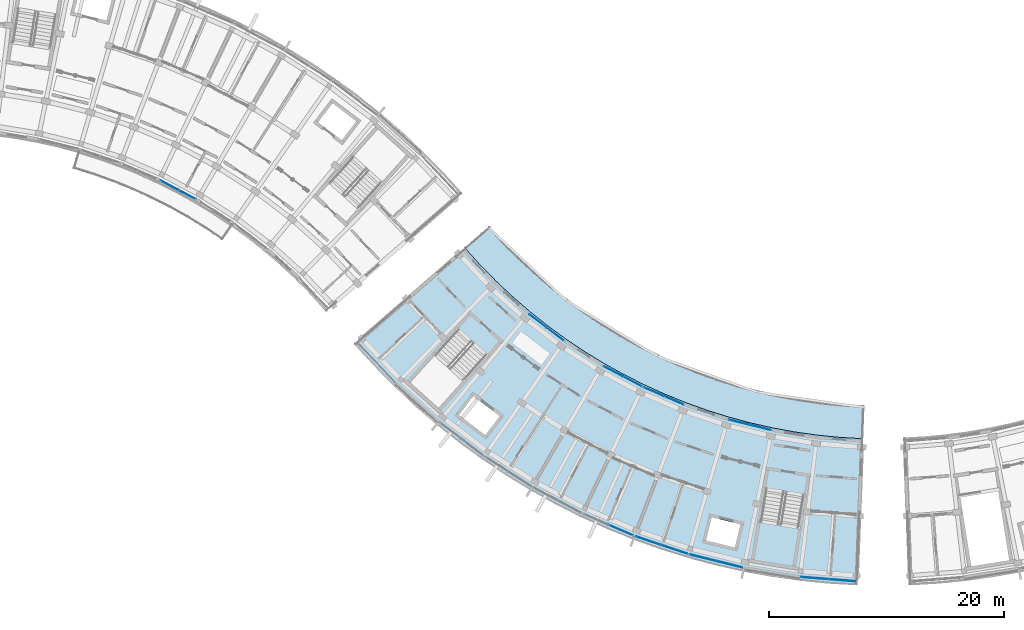
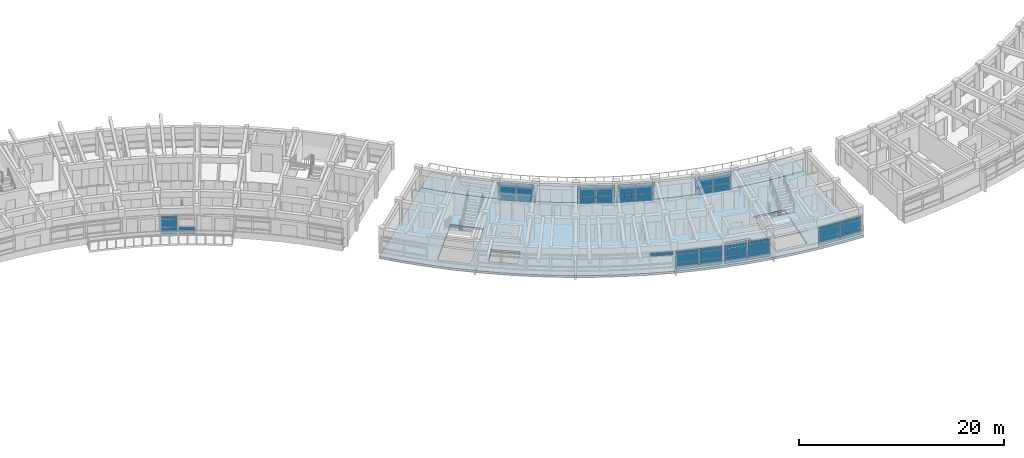
# One storey, part 23 of 54: 47 plates, 3 slabs, 10 elements without a shape of their own.
"""IFC4 building model written with IfcOpenShell, lengths in metres."""

import ifcopenshell
import ifcopenshell.guid

model = None  # the IFC model being written
_history = None  # IfcOwnerHistory: only IFC2X3 demands one
_inside = {}  # id of a spatial element -> (the spatial element, [elements in it])
_under = {}  # id of a project, library or spatial element -> (it, [spatial elements below it])
_declared = {}  # id of a project -> (the project, [libraries it declares])
_typed = {}  # id of a type object -> (the type object, [elements of that type])
_made_of = {}  # id of a material, layer set ... -> (it, [elements and type objects made of it])


def new_model(schema):
    """Start an empty IFC model of exactly this schema.

    Asked for "IFC4X3", IfcOpenShell would pick the latest addendum, in which some entities
    have other attributes; the version numbers below select the first issue.
    IFC2X3 requires an IfcOwnerHistory on every rooted entity: one is made here for all.
    """
    global model, _history
    if schema == "IFC4X3":
        model = ifcopenshell.file(schema_version=(4, 3, 0, 0))
    else:
        model = ifcopenshell.file(schema=schema)
    _inside.clear()
    _under.clear()
    _declared.clear()
    _typed.clear()
    _made_of.clear()
    _history = None
    if model.schema == "IFC2X3":
        org = make("IfcOrganization", Name="unknown")
        user = make(
            "IfcPersonAndOrganization",
            ThePerson=make("IfcPerson", FamilyName="unknown"),
            TheOrganization=org,
        )
        app = make(
            "IfcApplication",
            ApplicationDeveloper=org,
            Version="unknown",
            ApplicationFullName="unknown",
            ApplicationIdentifier="unknown",
        )
        _history = make(
            "IfcOwnerHistory",
            OwningUser=user,
            OwningApplication=app,
            ChangeAction="ADDED",
            CreationDate=0,
        )
    return model


def make(cls, **values):
    """One entity of the class cls with the attributes given. An attribute that is None is left unset."""
    return model.create_entity(
        cls, **{name: value for name, value in values.items() if value is not None}
    )


def rooted(cls, **values):
    """An entity with a GlobalId (a new one), such as an element, a storey or a relation."""
    return make(cls, GlobalId=ifcopenshell.guid.new(), OwnerHistory=_history, **values)


def si_unit(unit_type, name, prefix=None):
    """IfcSIUnit, for example si_unit("LENGTHUNIT", "METRE", prefix="MILLI")."""
    return make("IfcSIUnit", UnitType=unit_type, Prefix=prefix, Name=name)


def assignment(units):
    """IfcUnitAssignment: the units of a project."""
    return None if units is None else make("IfcUnitAssignment", Units=units)


def point(xyz):
    """IfcCartesianPoint."""
    return None if xyz is None else make("IfcCartesianPoint", Coordinates=xyz)


def direction(xyz):
    """IfcDirection."""
    return None if xyz is None else make("IfcDirection", DirectionRatios=xyz)


def frame(location, z_axis=None, x_axis=None):
    """IfcAxis2Placement3D, a coordinate frame: its origin and axes. An axis left out is left unset."""
    return make(
        "IfcAxis2Placement3D",
        Location=point(location),
        Axis=direction(z_axis),
        RefDirection=direction(x_axis),
    )


def frame_2d(location, x_axis=None):
    """IfcAxis2Placement2D, a coordinate frame in the plane: its origin and x axis."""
    return make(
        "IfcAxis2Placement2D", Location=point(location), RefDirection=direction(x_axis)
    )


def origin():
    """The frame at (0, 0, 0) with its axes left unset."""
    return frame((0.0, 0.0, 0.0))


def origin_2d():
    """The frame at (0, 0) in the plane with its x axis left unset."""
    return frame_2d((0.0, 0.0))


def place(relative_to, where):
    """IfcLocalPlacement: puts the frame where relative to a parent placement (None: the world)."""
    return make(
        "IfcLocalPlacement", PlacementRelTo=relative_to, RelativePlacement=where
    )


def context(
    kind, dimensions, precision=None, world=None, true_north=None, identifier=None
):
    """IfcGeometricRepresentationContext, for example the 3D "Model" context."""
    return make(
        "IfcGeometricRepresentationContext",
        ContextIdentifier=identifier,
        ContextType=kind,
        CoordinateSpaceDimension=dimensions,
        Precision=precision,
        WorldCoordinateSystem=world,
        TrueNorth=true_north,
    )


def subcontext(parent, identifier, kind, view, scale=None):
    """IfcGeometricRepresentationSubContext, for example "Body" below "Model"."""
    return make(
        "IfcGeometricRepresentationSubContext",
        ContextIdentifier=identifier,
        ContextType=kind,
        ParentContext=parent,
        TargetScale=scale,
        TargetView=view,
    )


def project(units=None, contexts=None):
    """IfcProject with its units and contexts."""
    return rooted(
        "IfcProject",
        Name="project",
        RepresentationContexts=contexts,
        UnitsInContext=assignment(units),
    )


def spatial(cls, under=None, at=None, **own):
    """A site, building, storey or space (cls), placed at a placement, below another one or the project."""
    s = rooted(cls, ObjectPlacement=at, **own)
    if under is not None:
        _under.setdefault(under.id(), (under, []))[1].append(s)
    return s


def polyline(points):
    """IfcPolyline through the points."""
    return make("IfcPolyline", Points=[point(p) for p in points])


def profile(cls, at=None, kind="AREA", **sizes):
    """A parametric profile (cls). Its sizes go by their IFC names, for example OverallWidth=200.0."""
    return make(cls, ProfileType=kind, Position=at, **sizes)


def rectangle(**sizes):
    """IfcRectangleProfileDef."""
    return profile("IfcRectangleProfileDef", **sizes)


def outline(outer, holes=None, kind="AREA"):
    """IfcArbitraryClosedProfileDef: a profile drawn as a closed curve; with holes, ...WithVoids."""
    if holes is None:
        return make("IfcArbitraryClosedProfileDef", ProfileType=kind, OuterCurve=outer)
    return make(
        "IfcArbitraryProfileDefWithVoids",
        ProfileType=kind,
        OuterCurve=outer,
        InnerCurves=holes,
    )


def extrude(swept, where, along, depth):
    """IfcExtrudedAreaSolid: the profile swept, set in the frame where, extruded along a direction by depth."""
    return make(
        "IfcExtrudedAreaSolid",
        SweptArea=swept,
        Position=where,
        ExtrudedDirection=direction(along),
        Depth=depth,
    )


def shape(context_of_items, identifier, shape_type, items):
    """IfcShapeRepresentation: the items that make up one representation, for example the "Body"."""
    return make(
        "IfcShapeRepresentation",
        ContextOfItems=context_of_items,
        RepresentationIdentifier=identifier,
        RepresentationType=shape_type,
        Items=items,
    )


def material(Name=None, Category=None):
    """IfcMaterial."""
    return make("IfcMaterial", Name=Name, Category=Category)


def layer(
    of_material, thickness, ventilated=None, Name=None, Category=None, Priority=None
):
    """IfcMaterialLayer: one layer of a wall or slab, of a material (None: an air gap)."""
    return make(
        "IfcMaterialLayer",
        Material=of_material,
        LayerThickness=thickness,
        IsVentilated=ventilated,
        Name=Name,
        Category=Category,
        Priority=Priority,
    )


def layer_set(layers, Name=None):
    """IfcMaterialLayerSet."""
    return make("IfcMaterialLayerSet", MaterialLayers=layers, LayerSetName=Name)


def made_of(thing, what):
    """Note that an element or type object is made of a material, layer set ...; save() writes the relation."""
    if what is not None:
        _made_of.setdefault(what.id(), (what, []))[1].append(thing)
    return thing


def type_object(cls, material=None, **own):
    """A type object (cls), such as IfcWallType, which elements share."""
    return made_of(rooted(cls, **own), material)


def element(
    cls,
    number,
    at=None,
    inside=None,
    cuts=None,
    type_object=None,
    material=None,
    context=None,
    identifier="Body",
    shape_type=None,
    held_by="IfcProductDefinitionShape",
    body=None,
    shapes=None,
    **own,
):
    """One element of the class cls, such as IfcWall. Its Tag is "e" and its number.

    at: its placement. inside: the storey or other place that contains it. cuts: it is an
    opening in that element (IfcRelVoidsElement). A single representation is given by context,
    identifier, shape_type and body (its items); several are given by shapes. held_by: the class
    of the entity that holds the representations. save() writes the other relations.
    """
    e = rooted(cls, Tag="e%d" % number, ObjectPlacement=at, **own)
    if body is not None:
        shapes = [shape(context, identifier, shape_type, body)]
    if shapes is not None:
        e.Representation = make(held_by, Representations=shapes)
    if inside is not None:
        _inside.setdefault(inside.id(), (inside, []))[1].append(e)
    if cuts is not None:
        rooted(
            "IfcRelVoidsElement", RelatingBuildingElement=cuts, RelatedOpeningElement=e
        )
    if type_object is not None:
        _typed.setdefault(type_object.id(), (type_object, []))[1].append(e)
    return made_of(e, material)


def aggregate(whole, parts):
    """IfcRelAggregates: a whole, such as a stair, and the parts it consists of."""
    return rooted("IfcRelAggregates", RelatingObject=whole, RelatedObjects=parts)


def save(model, path):
    """Write the relations noted so far, then the file.

    IfcRelAggregates (storeys below a building ...), IfcRelContainedInSpatialStructure (elements
    in a storey), IfcRelDefinesByType, IfcRelAssociatesMaterial and IfcRelDeclares: one each for
    every whole, place, type object, material and project.
    """
    for whole, parts in _under.values():
        aggregate(whole, parts)
    for where, things in _inside.values():
        rooted(
            "IfcRelContainedInSpatialStructure",
            RelatedElements=things,
            RelatingStructure=where,
        )
    for kind, things in _typed.values():
        rooted("IfcRelDefinesByType", RelatedObjects=things, RelatingType=kind)
    for what, things in _made_of.values():
        rooted("IfcRelAssociatesMaterial", RelatedObjects=things, RelatingMaterial=what)
    for by, libraries in _declared.values():
        rooted("IfcRelDeclares", RelatingContext=by, RelatedDefinitions=libraries)
    model.write(path)


model = new_model("IFC4")

# Units and contexts
model_context = context("Model", 3, precision=1e-05, world=origin(), true_north=direction((0.0, 1.0)))
body_context = subcontext(model_context, "Body", "Model", "MODEL_VIEW")
ifc_project = project(units=[si_unit("LENGTHUNIT", "METRE"), si_unit("AREAUNIT", "SQUARE_METRE"), si_unit("VOLUMEUNIT", "CUBIC_METRE"), si_unit("PLANEANGLEUNIT", "RADIAN"), si_unit("MASSUNIT", "GRAM", prefix="KILO")], contexts=[model_context])

# Site, building, storey
site_placement = place(None, origin())
site = spatial("IfcSite", under=ifc_project, at=site_placement, CompositionType="ELEMENT")
building_placement = place(site_placement, origin())
building = spatial("IfcBuilding", under=site, at=building_placement, Name="Zimvara Arc Housing Community", CompositionType="ELEMENT")
storey_placement = place(building_placement, frame((0.0, 0.0, 23.60009765625)))
storey = spatial("IfcBuildingStorey", under=building, at=storey_placement, Name="L07", CompositionType="ELEMENT", Elevation=23.60009765625)

# Curtain wall, plates
ifc_material_1 = material(Name="Anodised Aluminium AW-6063", Category="aluminium")
curtain_wall_type_1 = type_object("IfcCurtainWallType", Name="CW-SYS-08", PredefinedType="USERDEFINED", material=ifc_material_1)
curtain_wall_1_placement = place(storey_placement, origin())
curtain_wall_1 = element("IfcCurtainWall", 1, at=curtain_wall_1_placement, inside=storey, type_object=curtain_wall_type_1, Name="cw:blkC:L07:in:b4", ObjectType="CURTAIN WALL", PredefinedType="USERDEFINED")
ifc_material_2 = material(Name="Pale-Gold Anodised Aluminium Spandrel Panel", Category="aluminium")
ifc_layer_1 = layer(ifc_material_2, 0.035888671875)
ifc_layer_set_1 = layer_set([ifc_layer_1], Name="Pale-Gold Anodised Aluminium Spandrel Panel")
plate_type_1 = type_object("IfcPlateType", Name="CWP-GLD-36", PredefinedType="CURTAIN_PANEL", material=ifc_layer_set_1)
plate_1_placement = place(storey_placement, frame((102.965576171875, 68.43408203125, 0.06494140625), z_axis=(0.0, 0.0, 1.0), x_axis=(0.883438518424, -0.468547099195, 0.0)))
plate_1 = element("IfcPlate", 2, at=plate_1_placement, type_object=plate_type_1, Name="CW08 panel 1.1", PredefinedType="CURTAIN_PANEL", context=body_context, shape_type="SweptSolid", body=[
    extrude(rectangle(XDim=1.778564453125, YDim=0.035888671875, at=origin_2d()), origin(), (0.0, 0.0, 1.0), 0.75244140625),
])
plate_2_placement = place(storey_placement, frame((102.965576171875, 68.43408203125, 0.88232421875), z_axis=(0.0, 0.0, 1.0), x_axis=(0.883438518424, -0.468547099195, 0.0)))
plate_2 = element("IfcPlate", 3, at=plate_2_placement, type_object=plate_type_1, Name="CW08 panel 1.2", PredefinedType="CURTAIN_PANEL", context=body_context, shape_type="SweptSolid", body=[
    extrude(rectangle(XDim=1.778564453125, YDim=0.035888671875, at=origin_2d()), origin(), (0.0, 0.0, 1.0), 0.885009765625),
])
plate_3_placement = place(storey_placement, frame((102.965576171875, 68.43408203125, 1.832275390625), z_axis=(0.0, 0.0, 1.0), x_axis=(0.883438518424, -0.468547099195, 0.0)))
plate_3 = element("IfcPlate", 4, at=plate_3_placement, type_object=plate_type_1, Name="CW08 panel 1.3", PredefinedType="CURTAIN_PANEL", context=body_context, shape_type="SweptSolid", body=[
    extrude(rectangle(XDim=1.778564453125, YDim=0.035888671875, at=origin_2d()), origin(), (0.0, 0.0, 1.0), 0.3525390625),
])
plate_4_placement = place(storey_placement, frame((104.594482421875, 67.5703125, 0.06494140625), z_axis=(0.0, 0.0, 1.0), x_axis=(0.883438518424, -0.468547099195, 0.0)))
plate_4 = element("IfcPlate", 5, at=plate_4_placement, type_object=plate_type_1, Name="CW08 panel 2.1", PredefinedType="CURTAIN_PANEL", context=body_context, shape_type="SweptSolid", body=[
    extrude(rectangle(XDim=1.778564453125, YDim=0.035888671875, at=origin_2d()), origin(), (0.0, 0.0, 1.0), 0.75244140625),
])
plate_5_placement = place(storey_placement, frame((104.594482421875, 67.5703125, 0.88232421875), z_axis=(0.0, 0.0, 1.0), x_axis=(0.883438518424, -0.468547099195, 0.0)))
plate_5 = element("IfcPlate", 6, at=plate_5_placement, type_object=plate_type_1, Name="CW08 panel 2.2", PredefinedType="CURTAIN_PANEL", context=body_context, shape_type="SweptSolid", body=[
    extrude(rectangle(XDim=1.778564453125, YDim=0.035888671875, at=origin_2d()), origin(), (0.0, 0.0, 1.0), 0.885009765625),
])
plate_6_placement = place(storey_placement, frame((104.594482421875, 67.5703125, 1.832275390625), z_axis=(0.0, 0.0, 1.0), x_axis=(0.883438518424, -0.468547099195, 0.0)))
plate_6 = element("IfcPlate", 7, at=plate_6_placement, type_object=plate_type_1, Name="CW08 panel 2.3", PredefinedType="CURTAIN_PANEL", context=body_context, shape_type="SweptSolid", body=[
    extrude(rectangle(XDim=1.778564453125, YDim=0.035888671875, at=origin_2d()), origin(), (0.0, 0.0, 1.0), 0.3525390625),
])
aggregate(curtain_wall_1, [plate_1, plate_2, plate_3, plate_4, plate_5, plate_6])

ifc_material_3 = material(Name="Anodised Aluminium AW-6063", Category="aluminium")
curtain_wall_type_2 = type_object("IfcCurtainWallType", Name="CW-SYS-04", PredefinedType="USERDEFINED", material=ifc_material_3)
curtain_wall_2_placement = place(storey_placement, origin())
curtain_wall_2 = element("IfcCurtainWall", 8, at=curtain_wall_2_placement, inside=storey, type_object=curtain_wall_type_2, Name="cw:blkC:L07:out:b7", ObjectType="CURTAIN WALL", PredefinedType="USERDEFINED")
plate_7_placement = place(storey_placement, frame((110.59521484375, 52.547119140625, 0.06494140625), z_axis=(0.0, 0.0, 1.0), x_axis=(0.970716068627, -0.240229711131, 0.0)))
plate_7 = element("IfcPlate", 9, at=plate_7_placement, type_object=plate_type_1, Name="CW04 panel 1.1", PredefinedType="CURTAIN_PANEL", context=body_context, shape_type="SweptSolid", body=[
    extrude(rectangle(XDim=2.266845703125, YDim=0.035888671875, at=origin_2d()), origin(), (0.0, 0.0, 1.0), 0.75244140625),
])
plate_8_placement = place(storey_placement, frame((110.59521484375, 52.547119140625, 0.88232421875), z_axis=(0.0, 0.0, 1.0), x_axis=(0.970716068627, -0.240229711131, 0.0)))
plate_8 = element("IfcPlate", 10, at=plate_8_placement, type_object=plate_type_1, Name="CW04 panel 1.2", PredefinedType="CURTAIN_PANEL", context=body_context, shape_type="SweptSolid", body=[
    extrude(rectangle(XDim=2.266845703125, YDim=0.035888671875, at=origin_2d()), origin(), (0.0, 0.0, 1.0), 0.885009765625),
])
plate_9_placement = place(storey_placement, frame((110.59521484375, 52.547119140625, 1.832275390625), z_axis=(0.0, 0.0, 1.0), x_axis=(0.970716068627, -0.240229711131, 0.0)))
plate_9 = element("IfcPlate", 11, at=plate_9_placement, type_object=plate_type_1, Name="CW04 panel 1.3", PredefinedType="CURTAIN_PANEL", context=body_context, shape_type="SweptSolid", body=[
    extrude(rectangle(XDim=2.266845703125, YDim=0.035888671875, at=origin_2d()), origin(), (0.0, 0.0, 1.0), 0.3525390625),
])
plate_10_placement = place(storey_placement, frame((112.85888671875, 51.98681640625, 0.06494140625), z_axis=(0.0, 0.0, 1.0), x_axis=(0.970716068627, -0.240229711131, 0.0)))
plate_10 = element("IfcPlate", 12, at=plate_10_placement, type_object=plate_type_1, Name="CW04 panel 2.1", PredefinedType="CURTAIN_PANEL", context=body_context, shape_type="SweptSolid", body=[
    extrude(rectangle(XDim=2.266845703125, YDim=0.035888671875, at=origin_2d()), origin(), (0.0, 0.0, 1.0), 0.75244140625),
])
plate_11_placement = place(storey_placement, frame((112.85888671875, 51.98681640625, 0.88232421875), z_axis=(0.0, 0.0, 1.0), x_axis=(0.970716068627, -0.240229711131, 0.0)))
plate_11 = element("IfcPlate", 13, at=plate_11_placement, type_object=plate_type_1, Name="CW04 panel 2.2", PredefinedType="CURTAIN_PANEL", context=body_context, shape_type="SweptSolid", body=[
    extrude(rectangle(XDim=2.266845703125, YDim=0.035888671875, at=origin_2d()), origin(), (0.0, 0.0, 1.0), 0.885009765625),
])
plate_12_placement = place(storey_placement, frame((112.85888671875, 51.98681640625, 1.832275390625), z_axis=(0.0, 0.0, 1.0), x_axis=(0.970716068627, -0.240229711131, 0.0)))
plate_12 = element("IfcPlate", 14, at=plate_12_placement, type_object=plate_type_1, Name="CW04 panel 2.3", PredefinedType="CURTAIN_PANEL", context=body_context, shape_type="SweptSolid", body=[
    extrude(rectangle(XDim=2.266845703125, YDim=0.035888671875, at=origin_2d()), origin(), (0.0, 0.0, 1.0), 0.3525390625),
])
aggregate(curtain_wall_2, [plate_7, plate_8, plate_9, plate_10, plate_11, plate_12])

ifc_material_4 = material(Name="Anodised Aluminium AW-6063", Category="aluminium")
curtain_wall_type_3 = type_object("IfcCurtainWallType", Name="CW-SYS-05", PredefinedType="USERDEFINED", material=ifc_material_4)
curtain_wall_3_placement = place(storey_placement, origin())
curtain_wall_3 = element("IfcCurtainWall", 15, at=curtain_wall_3_placement, inside=storey, type_object=curtain_wall_type_3, Name="cw:blkC:L07:in:b2", ObjectType="CURTAIN WALL", PredefinedType="USERDEFINED")
ifc_material_5 = material(Name="Solar Control Low-E Double Glazing", Category="glass")
ifc_layer_2 = layer(ifc_material_5, 0.02392578125)
ifc_layer_set_2 = layer_set([ifc_layer_2], Name="Solar Control Low-E Double Glazing")
plate_type_2 = type_object("IfcPlateType", Name="CWP-GLZ-24", PredefinedType="CURTAIN_PANEL", material=ifc_layer_set_2)
plate_13_placement = place(storey_placement, frame((96.53466796875, 72.728759765625, 0.06494140625), z_axis=(0.0, 0.0, 1.0), x_axis=(0.795473930895, -0.605987809503, 0.0)))
plate_13 = element("IfcPlate", 16, at=plate_13_placement, type_object=plate_type_2, Name="CW05 panel 1.1", PredefinedType="CURTAIN_PANEL", context=body_context, shape_type="SweptSolid", body=[
    extrude(rectangle(XDim=1.778564453125, YDim=0.02392578125, at=origin_2d()), origin(), (0.0, 0.0, 1.0), 0.75244140625),
])
plate_14_placement = place(storey_placement, frame((96.53466796875, 72.728759765625, 0.88232421875), z_axis=(0.0, 0.0, 1.0), x_axis=(0.795473930895, -0.605987809503, 0.0)))
plate_14 = element("IfcPlate", 17, at=plate_14_placement, type_object=plate_type_2, Name="CW05 panel 1.2", PredefinedType="CURTAIN_PANEL", context=body_context, shape_type="SweptSolid", body=[
    extrude(rectangle(XDim=1.778564453125, YDim=0.02392578125, at=origin_2d()), origin(), (0.0, 0.0, 1.0), 0.885009765625),
])
plate_15_placement = place(storey_placement, frame((96.53466796875, 72.728759765625, 1.832275390625), z_axis=(0.0, 0.0, 1.0), x_axis=(0.795473930895, -0.605987809503, 0.0)))
plate_15 = element("IfcPlate", 18, at=plate_15_placement, type_object=plate_type_2, Name="CW05 panel 1.3", PredefinedType="CURTAIN_PANEL", context=body_context, shape_type="SweptSolid", body=[
    extrude(rectangle(XDim=1.778564453125, YDim=0.02392578125, at=origin_2d()), origin(), (0.0, 0.0, 1.0), 0.3525390625),
])
plate_16_placement = place(storey_placement, frame((98.001220703125, 71.611572265625, 0.06494140625), z_axis=(0.0, 0.0, 1.0), x_axis=(0.795473930895, -0.605987809503, 0.0)))
plate_16 = element("IfcPlate", 19, at=plate_16_placement, type_object=plate_type_2, Name="CW05 panel 2.1", PredefinedType="CURTAIN_PANEL", context=body_context, shape_type="SweptSolid", body=[
    extrude(rectangle(XDim=1.778564453125, YDim=0.02392578125, at=origin_2d()), origin(), (0.0, 0.0, 1.0), 0.75244140625),
])
plate_17_placement = place(storey_placement, frame((98.001220703125, 71.611572265625, 0.88232421875), z_axis=(0.0, 0.0, 1.0), x_axis=(0.795473930895, -0.605987809503, 0.0)))
plate_17 = element("IfcPlate", 20, at=plate_17_placement, type_object=plate_type_2, Name="CW05 panel 2.2", PredefinedType="CURTAIN_PANEL", context=body_context, shape_type="SweptSolid", body=[
    extrude(rectangle(XDim=1.778564453125, YDim=0.02392578125, at=origin_2d()), origin(), (0.0, 0.0, 1.0), 0.885009765625),
])
plate_18_placement = place(storey_placement, frame((98.001220703125, 71.611572265625, 1.832275390625), z_axis=(0.0, 0.0, 1.0), x_axis=(0.795473930895, -0.605987809503, 0.0)))
plate_18 = element("IfcPlate", 21, at=plate_18_placement, type_object=plate_type_2, Name="CW05 panel 2.3", PredefinedType="CURTAIN_PANEL", context=body_context, shape_type="SweptSolid", body=[
    extrude(rectangle(XDim=1.778564453125, YDim=0.02392578125, at=origin_2d()), origin(), (0.0, 0.0, 1.0), 0.3525390625),
])
aggregate(curtain_wall_3, [plate_13, plate_14, plate_15, plate_16, plate_17, plate_18])

# Curtain wall, plate
ifc_material_6 = material(Name="Anodised Aluminium AW-6063", Category="aluminium")
curtain_wall_type_4 = type_object("IfcCurtainWallType", Name="CW-SYS-01", PredefinedType="USERDEFINED", material=ifc_material_6)
curtain_wall_4_placement = place(storey_placement, origin())
curtain_wall_4 = element("IfcCurtainWall", 22, at=curtain_wall_4_placement, inside=storey, type_object=curtain_wall_type_4, Name="cw:blkC:L07:out:b5", ObjectType="CURTAIN WALL", PredefinedType="USERDEFINED")
plate_19_placement = place(storey_placement, frame((103.621337890625, 54.891357421875, 1.832275390625), z_axis=(0.0, 0.0, 1.0), x_axis=(0.918722299363, -0.394904211998, 0.0)))
plate_19 = element("IfcPlate", 23, at=plate_19_placement, type_object=plate_type_2, Name="CW01 panel 2.3", PredefinedType="CURTAIN_PANEL", context=body_context, shape_type="SweptSolid", body=[
    extrude(rectangle(XDim=2.266845703125, YDim=0.02392578125, at=origin_2d()), origin(), (0.0, 0.0, 1.0), 0.3525390625),
])
aggregate(curtain_wall_4, [plate_19])

# Curtain wall, plates
curtain_wall_5_placement = place(storey_placement, origin())
curtain_wall_5 = element("IfcCurtainWall", 24, at=curtain_wall_5_placement, inside=storey, type_object=curtain_wall_type_3, Name="cw:blkC:L07:in:b7", ObjectType="CURTAIN WALL", PredefinedType="USERDEFINED")
plate_20_placement = place(storey_placement, frame((113.703125, 64.08837890625, 0.06494140625), z_axis=(0.0, 0.0, 1.0), x_axis=(0.970716198507, -0.240229186313, 0.0)))
plate_20 = element("IfcPlate", 25, at=plate_20_placement, type_object=plate_type_2, Name="CW05 panel 1.1", PredefinedType="CURTAIN_PANEL", context=body_context, shape_type="SweptSolid", body=[
    extrude(rectangle(XDim=1.778564453125, YDim=0.02392578125, at=origin_2d()), origin(), (0.0, 0.0, 1.0), 0.75244140625),
])
plate_21_placement = place(storey_placement, frame((113.703125, 64.08837890625, 0.88232421875), z_axis=(0.0, 0.0, 1.0), x_axis=(0.970716198507, -0.240229186313, 0.0)))
plate_21 = element("IfcPlate", 26, at=plate_21_placement, type_object=plate_type_2, Name="CW05 panel 1.2", PredefinedType="CURTAIN_PANEL", context=body_context, shape_type="SweptSolid", body=[
    extrude(rectangle(XDim=1.778564453125, YDim=0.02392578125, at=origin_2d()), origin(), (0.0, 0.0, 1.0), 0.885009765625),
])
plate_22_placement = place(storey_placement, frame((113.703125, 64.08837890625, 1.832275390625), z_axis=(0.0, 0.0, 1.0), x_axis=(0.970716198507, -0.240229186313, 0.0)))
plate_22 = element("IfcPlate", 27, at=plate_22_placement, type_object=plate_type_2, Name="CW05 panel 1.3", PredefinedType="CURTAIN_PANEL", context=body_context, shape_type="SweptSolid", body=[
    extrude(rectangle(XDim=1.778564453125, YDim=0.02392578125, at=origin_2d()), origin(), (0.0, 0.0, 1.0), 0.3525390625),
])
plate_23_placement = place(storey_placement, frame((115.49267578125, 63.6455078125, 0.06494140625), z_axis=(0.0, 0.0, 1.0), x_axis=(0.970716198507, -0.240229186313, 0.0)))
plate_23 = element("IfcPlate", 28, at=plate_23_placement, type_object=plate_type_2, Name="CW05 panel 2.1", PredefinedType="CURTAIN_PANEL", context=body_context, shape_type="SweptSolid", body=[
    extrude(rectangle(XDim=1.778564453125, YDim=0.02392578125, at=origin_2d()), origin(), (0.0, 0.0, 1.0), 0.75244140625),
])
plate_24_placement = place(storey_placement, frame((115.49267578125, 63.6455078125, 0.88232421875), z_axis=(0.0, 0.0, 1.0), x_axis=(0.970716198507, -0.240229186313, 0.0)))
plate_24 = element("IfcPlate", 29, at=plate_24_placement, type_object=plate_type_2, Name="CW05 panel 2.2", PredefinedType="CURTAIN_PANEL", context=body_context, shape_type="SweptSolid", body=[
    extrude(rectangle(XDim=1.778564453125, YDim=0.02392578125, at=origin_2d()), origin(), (0.0, 0.0, 1.0), 0.885009765625),
])
plate_25_placement = place(storey_placement, frame((115.49267578125, 63.6455078125, 1.832275390625), z_axis=(0.0, 0.0, 1.0), x_axis=(0.970716198507, -0.240229186313, 0.0)))
plate_25 = element("IfcPlate", 30, at=plate_25_placement, type_object=plate_type_2, Name="CW05 panel 2.3", PredefinedType="CURTAIN_PANEL", context=body_context, shape_type="SweptSolid", body=[
    extrude(rectangle(XDim=1.778564453125, YDim=0.02392578125, at=origin_2d()), origin(), (0.0, 0.0, 1.0), 0.3525390625),
])
aggregate(curtain_wall_5, [plate_20, plate_21, plate_22, plate_23, plate_24, plate_25])

ifc_material_7 = material(Name="Anodised Aluminium AW-6063", Category="aluminium")
curtain_wall_type_5 = type_object("IfcCurtainWallType", Name="CW-SYS-02", PredefinedType="USERDEFINED", material=ifc_material_7)
curtain_wall_6_placement = place(storey_placement, origin())
curtain_wall_6 = element("IfcCurtainWall", 31, at=curtain_wall_6_placement, inside=storey, type_object=curtain_wall_type_5, Name="cw:blkC:L07:in:b5", ObjectType="CURTAIN WALL", PredefinedType="USERDEFINED")
ifc_material_8 = material(Name="Solar Control Low-E Double Glazing", Category="glass")
ifc_layer_3 = layer(ifc_material_8, 0.028076171875)
ifc_layer_set_3 = layer_set([ifc_layer_3], Name="Solar Control Low-E Double Glazing")
plate_type_3 = type_object("IfcPlateType", Name="CWP-GLZ-28", PredefinedType="CURTAIN_PANEL", material=ifc_layer_set_3)
plate_26_placement = place(storey_placement, frame((106.42236328125, 66.694580078125, 0.06494140625), z_axis=(0.0, 0.0, 1.0), x_axis=(0.918722411261, -0.394903951674, 0.0)))
plate_26 = element("IfcPlate", 32, at=plate_26_placement, type_object=plate_type_3, Name="CW02 panel 1.1", PredefinedType="CURTAIN_PANEL", context=body_context, shape_type="SweptSolid", body=[
    extrude(rectangle(XDim=1.778564453125, YDim=0.028076171875, at=origin_2d()), origin(), (0.0, 0.0, 1.0), 0.75244140625),
])
plate_27_placement = place(storey_placement, frame((106.42236328125, 66.694580078125, 0.88232421875), z_axis=(0.0, 0.0, 1.0), x_axis=(0.918722411261, -0.394903951674, 0.0)))
plate_27 = element("IfcPlate", 33, at=plate_27_placement, type_object=plate_type_3, Name="CW02 panel 1.2", PredefinedType="CURTAIN_PANEL", context=body_context, shape_type="SweptSolid", body=[
    extrude(rectangle(XDim=1.778564453125, YDim=0.028076171875, at=origin_2d()), origin(), (0.0, 0.0, 1.0), 0.885009765625),
])
plate_28_placement = place(storey_placement, frame((106.42236328125, 66.694580078125, 1.832275390625), z_axis=(0.0, 0.0, 1.0), x_axis=(0.918722411261, -0.394903951674, 0.0)))
plate_28 = element("IfcPlate", 34, at=plate_28_placement, type_object=plate_type_3, Name="CW02 panel 1.3", PredefinedType="CURTAIN_PANEL", context=body_context, shape_type="SweptSolid", body=[
    extrude(rectangle(XDim=1.778564453125, YDim=0.028076171875, at=origin_2d()), origin(), (0.0, 0.0, 1.0), 0.3525390625),
])
plate_29_placement = place(storey_placement, frame((108.1162109375, 65.966552734375, 0.06494140625), z_axis=(0.0, 0.0, 1.0), x_axis=(0.918722411261, -0.394903951674, 0.0)))
plate_29 = element("IfcPlate", 35, at=plate_29_placement, type_object=plate_type_3, Name="CW02 panel 2.1", PredefinedType="CURTAIN_PANEL", context=body_context, shape_type="SweptSolid", body=[
    extrude(rectangle(XDim=1.778564453125, YDim=0.028076171875, at=origin_2d()), origin(), (0.0, 0.0, 1.0), 0.75244140625),
])
plate_30_placement = place(storey_placement, frame((108.1162109375, 65.966552734375, 0.88232421875), z_axis=(0.0, 0.0, 1.0), x_axis=(0.918722411261, -0.394903951674, 0.0)))
plate_30 = element("IfcPlate", 36, at=plate_30_placement, type_object=plate_type_3, Name="CW02 panel 2.2", PredefinedType="CURTAIN_PANEL", context=body_context, shape_type="SweptSolid", body=[
    extrude(rectangle(XDim=1.778564453125, YDim=0.028076171875, at=origin_2d()), origin(), (0.0, 0.0, 1.0), 0.885009765625),
])
plate_31_placement = place(storey_placement, frame((108.1162109375, 65.966552734375, 1.832275390625), z_axis=(0.0, 0.0, 1.0), x_axis=(0.918722411261, -0.394903951674, 0.0)))
plate_31 = element("IfcPlate", 37, at=plate_31_placement, type_object=plate_type_3, Name="CW02 panel 2.3", PredefinedType="CURTAIN_PANEL", context=body_context, shape_type="SweptSolid", body=[
    extrude(rectangle(XDim=1.778564453125, YDim=0.028076171875, at=origin_2d()), origin(), (0.0, 0.0, 1.0), 0.3525390625),
])
aggregate(curtain_wall_6, [plate_26, plate_27, plate_28, plate_29, plate_30, plate_31])

ifc_material_9 = material(Name="Anodised Aluminium AW-6063", Category="aluminium")
curtain_wall_type_6 = type_object("IfcCurtainWallType", Name="CW-SYS-06", PredefinedType="USERDEFINED", material=ifc_material_9)
curtain_wall_7_placement = place(storey_placement, origin())
curtain_wall_7 = element("IfcCurtainWall", 38, at=curtain_wall_7_placement, inside=storey, type_object=curtain_wall_type_6, Name="cw:blkC:L07:out:b9", ObjectType="CURTAIN WALL", PredefinedType="USERDEFINED")
plate_32_placement = place(storey_placement, frame((120.121337890625, 50.807861328125, 0.06494140625), z_axis=(0.0, 0.0, 1.0), x_axis=(0.996862418963, -0.079153759607, 0.0)))
plate_32 = element("IfcPlate", 39, at=plate_32_placement, type_object=plate_type_3, Name="CW06 panel 1.1", PredefinedType="CURTAIN_PANEL", context=body_context, shape_type="SweptSolid", body=[
    extrude(rectangle(XDim=2.266845703125, YDim=0.028076171875, at=origin_2d()), origin(), (0.0, 0.0, 1.0), 0.75244140625),
])
plate_33_placement = place(storey_placement, frame((120.121337890625, 50.807861328125, 0.88232421875), z_axis=(0.0, 0.0, 1.0), x_axis=(0.996862418963, -0.079153759607, 0.0)))
plate_33 = element("IfcPlate", 40, at=plate_33_placement, type_object=plate_type_3, Name="CW06 panel 1.2", PredefinedType="CURTAIN_PANEL", context=body_context, shape_type="SweptSolid", body=[
    extrude(rectangle(XDim=2.266845703125, YDim=0.028076171875, at=origin_2d()), origin(), (0.0, 0.0, 1.0), 0.885009765625),
])
plate_34_placement = place(storey_placement, frame((120.121337890625, 50.807861328125, 1.832275390625), z_axis=(0.0, 0.0, 1.0), x_axis=(0.996862418963, -0.079153759607, 0.0)))
plate_34 = element("IfcPlate", 41, at=plate_34_placement, type_object=plate_type_3, Name="CW06 panel 1.3", PredefinedType="CURTAIN_PANEL", context=body_context, shape_type="SweptSolid", body=[
    extrude(rectangle(XDim=2.266845703125, YDim=0.028076171875, at=origin_2d()), origin(), (0.0, 0.0, 1.0), 0.3525390625),
])
plate_35_placement = place(storey_placement, frame((122.446044921875, 50.623291015625, 0.06494140625), z_axis=(0.0, 0.0, 1.0), x_axis=(0.996862418963, -0.079153759607, 0.0)))
plate_35 = element("IfcPlate", 42, at=plate_35_placement, type_object=plate_type_3, Name="CW06 panel 2.1", PredefinedType="CURTAIN_PANEL", context=body_context, shape_type="SweptSolid", body=[
    extrude(rectangle(XDim=2.266845703125, YDim=0.028076171875, at=origin_2d()), origin(), (0.0, 0.0, 1.0), 0.75244140625),
])
plate_36_placement = place(storey_placement, frame((122.446044921875, 50.623291015625, 0.88232421875), z_axis=(0.0, 0.0, 1.0), x_axis=(0.996862418963, -0.079153759607, 0.0)))
plate_36 = element("IfcPlate", 43, at=plate_36_placement, type_object=plate_type_3, Name="CW06 panel 2.2", PredefinedType="CURTAIN_PANEL", context=body_context, shape_type="SweptSolid", body=[
    extrude(rectangle(XDim=2.266845703125, YDim=0.028076171875, at=origin_2d()), origin(), (0.0, 0.0, 1.0), 0.885009765625),
])
plate_37_placement = place(storey_placement, frame((122.446044921875, 50.623291015625, 1.832275390625), z_axis=(0.0, 0.0, 1.0), x_axis=(0.996862418963, -0.079153759607, 0.0)))
plate_37 = element("IfcPlate", 44, at=plate_37_placement, type_object=plate_type_3, Name="CW06 panel 2.3", PredefinedType="CURTAIN_PANEL", context=body_context, shape_type="SweptSolid", body=[
    extrude(rectangle(XDim=2.266845703125, YDim=0.028076171875, at=origin_2d()), origin(), (0.0, 0.0, 1.0), 0.3525390625),
])
aggregate(curtain_wall_7, [plate_32, plate_33, plate_34, plate_35, plate_36, plate_37])

ifc_material_10 = material(Name="Anodised Aluminium AW-6063", Category="aluminium")
curtain_wall_type_7 = type_object("IfcCurtainWallType", Name="CW-SYS-07", PredefinedType="USERDEFINED", material=ifc_material_10)
curtain_wall_8_placement = place(storey_placement, origin())
curtain_wall_8 = element("IfcCurtainWall", 45, at=curtain_wall_8_placement, inside=storey, type_object=curtain_wall_type_7, Name="cw:blkB:L07:in:b5", ObjectType="CURTAIN WALL", PredefinedType="USERDEFINED")
ifc_material_11 = material(Name="Acoustic Laminated Solar Glazing", Category="glass")
ifc_layer_4 = layer(ifc_material_11, 0.031982421875)
ifc_layer_set_4 = layer_set([ifc_layer_4], Name="Acoustic Laminated Solar Glazing")
plate_type_4 = type_object("IfcPlateType", Name="CWP-GLZ-32", PredefinedType="CURTAIN_PANEL", material=ifc_layer_set_4)
plate_38_placement = place(storey_placement, frame((65.125244140625, 84.291259765625, 0.06494140625), z_axis=(0.0, 0.0, 1.0), x_axis=(0.88343981815, -0.468544648573, 0.0)))
plate_38 = element("IfcPlate", 46, at=plate_38_placement, type_object=plate_type_4, Name="CW07 panel 1.1", PredefinedType="CURTAIN_PANEL", context=body_context, shape_type="SweptSolid", body=[
    extrude(rectangle(XDim=1.664306640625, YDim=0.031982421875, at=origin_2d()), origin(), (0.0, 0.0, 1.0), 0.75244140625),
])
plate_39_placement = place(storey_placement, frame((65.125244140625, 84.291259765625, 0.88232421875), z_axis=(0.0, 0.0, 1.0), x_axis=(0.88343981815, -0.468544648573, 0.0)))
plate_39 = element("IfcPlate", 47, at=plate_39_placement, type_object=plate_type_4, Name="CW07 panel 1.2", PredefinedType="CURTAIN_PANEL", context=body_context, shape_type="SweptSolid", body=[
    extrude(rectangle(XDim=1.664306640625, YDim=0.031982421875, at=origin_2d()), origin(), (0.0, 0.0, 1.0), 0.885009765625),
])
plate_40_placement = place(storey_placement, frame((65.125244140625, 84.291259765625, 1.832275390625), z_axis=(0.0, 0.0, 1.0), x_axis=(0.88343981815, -0.468544648573, 0.0)))
plate_40 = element("IfcPlate", 48, at=plate_40_placement, type_object=plate_type_4, Name="CW07 panel 1.3", PredefinedType="CURTAIN_PANEL", context=body_context, shape_type="SweptSolid", body=[
    extrude(rectangle(XDim=1.664306640625, YDim=0.031982421875, at=origin_2d()), origin(), (0.0, 0.0, 1.0), 0.3525390625),
])
plate_41_placement = place(storey_placement, frame((66.653076171875, 83.48095703125, 0.06494140625), z_axis=(0.0, 0.0, 1.0), x_axis=(0.88343981815, -0.468544648573, 0.0)))
plate_41 = element("IfcPlate", 49, at=plate_41_placement, type_object=plate_type_4, Name="CW07 panel 2.1", PredefinedType="CURTAIN_PANEL", context=body_context, shape_type="SweptSolid", body=[
    extrude(rectangle(XDim=1.664306640625, YDim=0.031982421875, at=origin_2d()), origin(), (0.0, 0.0, 1.0), 0.75244140625),
])
aggregate(curtain_wall_8, [plate_38, plate_39, plate_40, plate_41])

ifc_material_12 = material(Name="Anodised Aluminium AW-6063", Category="aluminium")
curtain_wall_type_8 = type_object("IfcCurtainWallType", Name="CW-SYS-03", PredefinedType="USERDEFINED", material=ifc_material_12)
curtain_wall_9_placement = place(storey_placement, origin())
curtain_wall_9 = element("IfcCurtainWall", 50, at=curtain_wall_9_placement, inside=storey, type_object=curtain_wall_type_8, Name="cw:blkC:L07:out:b6", ObjectType="CURTAIN WALL", PredefinedType="USERDEFINED")
plate_42_placement = place(storey_placement, frame((105.970458984375, 53.993408203125, 0.06494140625), z_axis=(0.0, 0.0, 1.0), x_axis=(0.947879647164, -0.318628583921, 0.0)))
plate_42 = element("IfcPlate", 51, at=plate_42_placement, type_object=plate_type_4, Name="CW03 panel 1.1", PredefinedType="CURTAIN_PANEL", context=body_context, shape_type="SweptSolid", body=[
    extrude(rectangle(XDim=2.266845703125, YDim=0.031982421875, at=origin_2d()), origin(), (0.0, 0.0, 1.0), 0.75244140625),
])
plate_43_placement = place(storey_placement, frame((105.970458984375, 53.993408203125, 0.88232421875), z_axis=(0.0, 0.0, 1.0), x_axis=(0.947879647164, -0.318628583921, 0.0)))
plate_43 = element("IfcPlate", 52, at=plate_43_placement, type_object=plate_type_4, Name="CW03 panel 1.2", PredefinedType="CURTAIN_PANEL", context=body_context, shape_type="SweptSolid", body=[
    extrude(rectangle(XDim=2.266845703125, YDim=0.031982421875, at=origin_2d()), origin(), (0.0, 0.0, 1.0), 0.885009765625),
])
plate_44_placement = place(storey_placement, frame((105.970458984375, 53.993408203125, 1.832275390625), z_axis=(0.0, 0.0, 1.0), x_axis=(0.947879647164, -0.318628583921, 0.0)))
plate_44 = element("IfcPlate", 53, at=plate_44_placement, type_object=plate_type_4, Name="CW03 panel 1.3", PredefinedType="CURTAIN_PANEL", context=body_context, shape_type="SweptSolid", body=[
    extrude(rectangle(XDim=2.266845703125, YDim=0.031982421875, at=origin_2d()), origin(), (0.0, 0.0, 1.0), 0.3525390625),
])
plate_45_placement = place(storey_placement, frame((108.180908203125, 53.250244140625, 0.06494140625), z_axis=(0.0, 0.0, 1.0), x_axis=(0.947879647164, -0.318628583921, 0.0)))
plate_45 = element("IfcPlate", 54, at=plate_45_placement, type_object=plate_type_4, Name="CW03 panel 2.1", PredefinedType="CURTAIN_PANEL", context=body_context, shape_type="SweptSolid", body=[
    extrude(rectangle(XDim=2.266845703125, YDim=0.031982421875, at=origin_2d()), origin(), (0.0, 0.0, 1.0), 0.75244140625),
])
plate_46_placement = place(storey_placement, frame((108.180908203125, 53.250244140625, 0.88232421875), z_axis=(0.0, 0.0, 1.0), x_axis=(0.947879647164, -0.318628583921, 0.0)))
plate_46 = element("IfcPlate", 55, at=plate_46_placement, type_object=plate_type_4, Name="CW03 panel 2.2", PredefinedType="CURTAIN_PANEL", context=body_context, shape_type="SweptSolid", body=[
    extrude(rectangle(XDim=2.266845703125, YDim=0.031982421875, at=origin_2d()), origin(), (0.0, 0.0, 1.0), 0.885009765625),
])
plate_47_placement = place(storey_placement, frame((108.180908203125, 53.250244140625, 1.832275390625), z_axis=(0.0, 0.0, 1.0), x_axis=(0.947879647164, -0.318628583921, 0.0)))
plate_47 = element("IfcPlate", 56, at=plate_47_placement, type_object=plate_type_4, Name="CW03 panel 2.3", PredefinedType="CURTAIN_PANEL", context=body_context, shape_type="SweptSolid", body=[
    extrude(rectangle(XDim=2.266845703125, YDim=0.031982421875, at=origin_2d()), origin(), (0.0, 0.0, 1.0), 0.3525390625),
])
aggregate(curtain_wall_9, [plate_42, plate_43, plate_44, plate_45, plate_46, plate_47])

# Stair, slab
ifc_material_13 = material(Name="Concrete C35/45", Category="concrete")
stair_type = type_object("IfcStairType", Name="STR-DL-310-310", PredefinedType="HALF_TURN_STAIR", material=ifc_material_13)
stair_placement = place(storey_placement, origin())
stair = element("IfcStair", 57, at=stair_placement, inside=storey, type_object=stair_type, Name="L07 Block C Exit Stair 2", PredefinedType="HALF_TURN_STAIR")
ifc_material_14 = material(Name="Concrete C35/45", Category="concrete")
ifc_layer_5 = layer(ifc_material_14, 0.199951171875)
ifc_layer_set_5 = layer_set([ifc_layer_5], Name="Concrete C35/45")
slab_type_1 = type_object("IfcSlabType", Name="SLB-STAIR-LND-200", PredefinedType="LANDING", material=ifc_layer_set_5)
slab_1_placement = place(storey_placement, frame((0.0, 0.0, 1.349853515625)))
slab_1 = element("IfcSlab", 58, at=slab_1_placement, type_object=slab_type_1, Name="ST-C2 landing 1", PredefinedType="LANDING", context=body_context, shape_type="SweptSolid", body=[
    extrude(outline(polyline([(115.4853515625, 55.691650390625), (114.942138671875, 52.345458984375), (118.2587890625, 51.80712890625), (118.8017578125, 55.1533203125), (115.4853515625, 55.691650390625)])), origin(), (0.0, 0.0, 1.0), 0.199951171875),
])
aggregate(stair, [slab_1])

# Slabs
ifc_material_15 = material(Name="Concrete C35/45", Category="concrete")
ifc_layer_6 = layer(ifc_material_15, 0.2099609375)
ifc_layer_set_6 = layer_set([ifc_layer_6], Name="Concrete C35/45")
slab_type_2 = type_object("IfcSlabType", Name="SLB-TER-210", PredefinedType="FLOOR", material=ifc_layer_set_6)
slab_2_placement = place(storey_placement, frame((0.0, 0.0, -0.210205078125)))
element("IfcSlab", 59, at=slab_2_placement, inside=storey, type_object=slab_type_2, Name="slab:blkC:L07:terrace", PredefinedType="FLOOR", context=body_context, shape_type="SweptSolid", body=[
    extrude(outline(polyline([(90.357666015625, 78.89404296875), (91.651611328125, 77.46533203125), (93.0029296875, 76.0908203125), (94.4091796875, 74.7724609375), (95.8681640625, 73.5126953125), (97.37744140625, 72.313720703125), (98.93408203125, 71.17724609375), (100.5361328125, 70.105224609375), (102.180419921875, 69.099365234375), (103.864501953125, 68.16162109375), (105.58544921875, 67.29345703125), (107.340576171875, 66.496337890625), (109.12646484375, 65.771484375), (110.940673828125, 65.1201171875), (112.780029296875, 64.54345703125), (114.641357421875, 64.042236328125), (116.521484375, 63.617431640625), (118.417236328125, 63.269775390625), (120.325927734375, 63.0), (122.243896484375, 62.80810546875), (124.16796875, 62.69482421875), (124.275634765625, 65.49267578125), (122.465576171875, 65.599365234375), (120.661376953125, 65.77978515625), (118.865966796875, 66.03369140625), (117.08251953125, 66.360595703125), (115.31396484375, 66.76025390625), (113.56298828125, 67.231689453125), (111.8330078125, 67.774169921875), (110.12646484375, 68.386962890625), (108.4462890625, 69.06884765625), (106.79541015625, 69.818603515625), (105.176513671875, 70.63525390625), (103.59228515625, 71.517333984375), (102.04541015625, 72.46337890625), (100.53857421875, 73.471923828125), (99.07421875, 74.541015625), (97.654541015625, 75.6689453125), (96.2822265625, 76.85400390625), (94.959228515625, 78.093994140625), (93.688232421875, 79.38720703125), (92.470947265625, 80.73095703125), (90.357666015625, 78.89404296875)])), origin(), (0.0, 0.0, 1.0), 0.210205078125),
])
ifc_material_16 = material(Name="Concrete C35/45", Category="concrete")
ifc_layer_7 = layer(ifc_material_16, 0.22998046875)
ifc_layer_set_7 = layer_set([ifc_layer_7], Name="Concrete C35/45")
slab_type_3 = type_object("IfcSlabType", Name="SLB-TYP-230", PredefinedType="FLOOR", material=ifc_layer_set_7)
slab_3_placement = place(storey_placement, frame((0.0, 0.0, -0.22998046875)))
element("IfcSlab", 60, at=slab_3_placement, inside=storey, type_object=slab_type_3, Name="slab:blkC:L07:main", PredefinedType="FLOOR", context=body_context, shape_type="SweptSolid", body=[
    extrude(outline(polyline([(80.999267578125, 70.7587890625), (82.63330078125, 68.954833984375), (84.339599609375, 67.21923828125), (86.115234375, 65.5546875), (87.95751953125, 63.9638671875), (89.863037109375, 62.44970703125), (91.828857421875, 61.0146484375), (93.851806640625, 59.6611328125), (95.92822265625, 58.39111328125), (98.0546875, 57.20703125), (100.227783203125, 56.11083984375), (102.443603515625, 55.104248046875), (104.698974609375, 54.188720703125), (106.98974609375, 53.366455078125), (109.312255859375, 52.63818359375), (111.662353515625, 52.00537109375), (114.03662109375, 51.468994140625), (116.430419921875, 51.030029296875), (118.840576171875, 50.689208984375), (121.262451171875, 50.447021484375), (123.692138671875, 50.303955078125), (124.16796875, 62.69482421875), (122.243896484375, 62.80810546875), (120.325927734375, 63.0), (118.417236328125, 63.269775390625), (116.521484375, 63.617431640625), (114.641357421875, 64.042236328125), (112.780029296875, 64.54345703125), (110.940673828125, 65.1201171875), (109.12646484375, 65.771484375), (107.340576171875, 66.496337890625), (105.58544921875, 67.29345703125), (103.864501953125, 68.16162109375), (102.180419921875, 69.099365234375), (100.5361328125, 70.105224609375), (98.93408203125, 71.17724609375), (97.37744140625, 72.313720703125), (95.8681640625, 73.5126953125), (94.4091796875, 74.7724609375), (93.0029296875, 76.0908203125), (91.651611328125, 77.46533203125), (90.357666015625, 78.89404296875), (80.999267578125, 70.7587890625)]), holes=[polyline([(92.150390625, 69.81005859375), (88.070068359375, 65.275390625), (85.6318359375, 67.46923828125), (89.7119140625, 72.00390625), (92.150390625, 69.81005859375)]), polyline([(119.202880859375, 57.874267578125), (118.2255859375, 51.85302734375), (114.988037109375, 52.378662109375), (115.96533203125, 58.399658203125), (119.202880859375, 57.874267578125)]), polyline([(93.29541015625, 64.612060546875), (92.05908203125, 62.9892578125), (89.800048828125, 64.710205078125), (91.036376953125, 66.3330078125), (93.29541015625, 64.612060546875)]), polyline([(113.80810546875, 55.388916015625), (113.318115234375, 53.40869140625), (110.852294921875, 54.018798828125), (111.342529296875, 55.9990234375), (113.80810546875, 55.388916015625)])]), origin(), (0.0, 0.0, 1.0), 0.22998046875),
])

save(model, "model.ifc")
